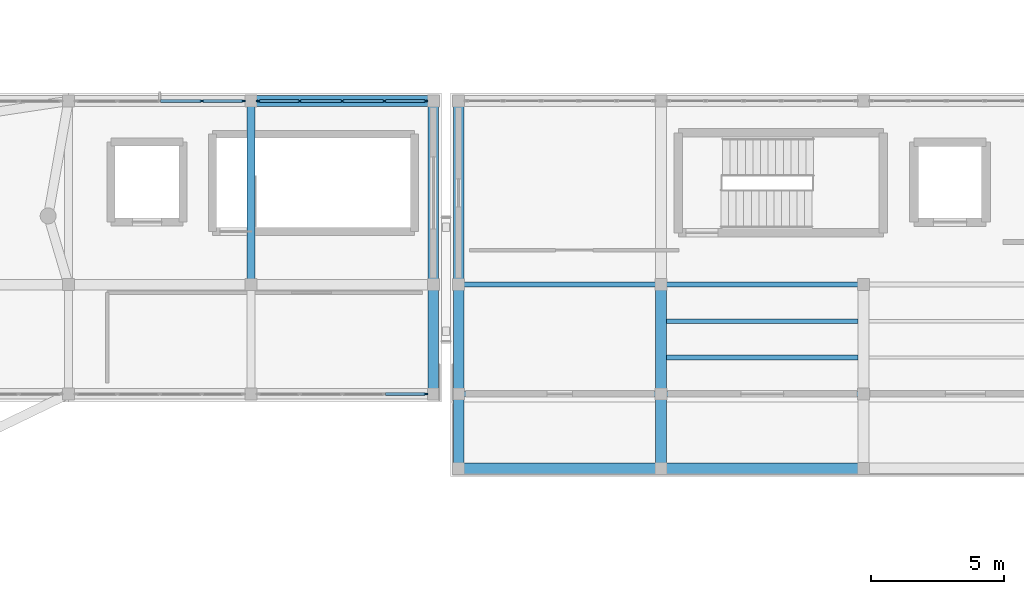
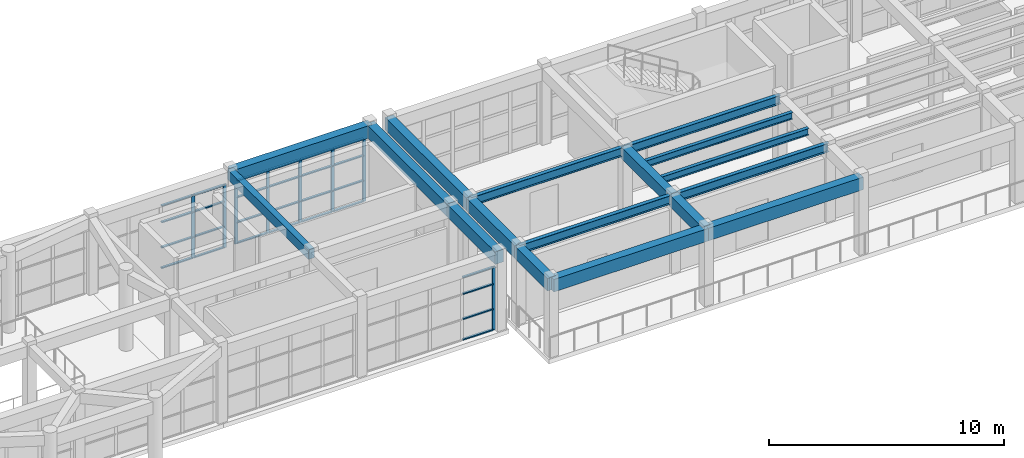
# One storey, part 8 of 66: 36 members, 17 beams, 3 elements without a shape of their own.
"""IFC4 building model written with IfcOpenShell, lengths in metres."""

from ifc_helpers import new_model, si_unit, direction, frame, origin, origin_2d, place, context, subcontext, project, spatial, rectangle, i_section, extrude, material, layer, layer_set, material_profile, profile_set, type_object, element, aggregate, save


model = new_model("IFC4")

# Units and contexts
model_context = context("Model", 3, precision=1e-05, world=origin(), true_north=direction((0.0, 1.0)))
body_context = subcontext(model_context, "Body", "Model", "MODEL_VIEW")
ifc_project = project(units=[si_unit("LENGTHUNIT", "METRE"), si_unit("AREAUNIT", "SQUARE_METRE"), si_unit("VOLUMEUNIT", "CUBIC_METRE"), si_unit("PLANEANGLEUNIT", "RADIAN"), si_unit("MASSUNIT", "GRAM", prefix="KILO")], contexts=[model_context])

# Site, building, storey
site_placement = place(None, origin())
site = spatial("IfcSite", under=ifc_project, at=site_placement, CompositionType="ELEMENT")
building_placement = place(site_placement, origin())
building = spatial("IfcBuilding", under=site, at=building_placement, Name="Candilejo Ridge Gondola Terminal", CompositionType="ELEMENT")
storey_placement = place(building_placement, frame((0.0, 0.0, 14.39990234375)))
storey = spatial("IfcBuildingStorey", under=building, at=storey_placement, Name="L03", CompositionType="ELEMENT", Elevation=14.39990234375)

# Curtain wall, members
ifc_material_1 = material(Name="Anodised aluminium AA 6063-T6", Category="aluminium")
ifc_layer = layer(ifc_material_1, 0.169921875)
ifc_layer_set = layer_set([ifc_layer], Name="ARC-CW-DRUM-3400-635X329")
curtain_wall_type = type_object("IfcCurtainWallType", Name="ARC-CW-DRUM-3400-635X329", PredefinedType="NOTDEFINED", material=ifc_layer_set)
curtain_wall_1_placement = place(storey_placement, origin())
curtain_wall_1 = element("IfcCurtainWall", 1, at=curtain_wall_1_placement, inside=storey, type_object=curtain_wall_type, Name="Curtain wall V2 L03-066", PredefinedType="NOTDEFINED")
ifc_material_2 = material(Name="Anodised aluminium AA 6063-T6", Category="aluminium")
ifc_material_profile_1 = material_profile(ifc_material_2, rectangle(XDim=0.06494140625, YDim=0.14990234375, at=origin_2d()))
ifc_profile_set_1 = profile_set([ifc_material_profile_1], Name="Anodised aluminium AA 6063-T6")
member_type_1 = type_object("IfcMemberType", Name="ARC-CW-MULLION-150", PredefinedType="MULLION", material=ifc_profile_set_1)
member_1_placement = place(storey_placement, frame((77.362548828125, 36.699951171875, 0.0), z_axis=(0.0, 0.0, 1.0), x_axis=(0.0, 1.0, 0.0)))
member_1 = element("IfcMember", 2, at=member_1_placement, type_object=member_type_1, Name="CW-63X32 mullion 4", PredefinedType="MULLION", context=body_context, shape_type="SweptSolid", body=[
    extrude(rectangle(XDim=0.06494140625, YDim=0.14990234375, at=origin_2d()), origin(), (0.0, 0.0, 1.0), 3.2900390625),
])
member_2_placement = place(storey_placement, frame((78.91748046875, 36.699951171875, 0.0), z_axis=(0.0, 0.0, 1.0), x_axis=(0.0, 1.0, 0.0)))
member_2 = element("IfcMember", 3, at=member_2_placement, type_object=member_type_1, Name="CW-63X32 mullion 5", PredefinedType="MULLION", context=body_context, shape_type="SweptSolid", body=[
    extrude(rectangle(XDim=0.06494140625, YDim=0.14990234375, at=origin_2d()), origin(), (0.0, 0.0, 1.0), 3.2900390625),
])

curtain_wall_2_placement = place(storey_placement, origin())
curtain_wall_2 = element("IfcCurtainWall", 4, at=curtain_wall_2_placement, inside=storey, type_object=curtain_wall_type, Name="Curtain wall V2 L03-068", PredefinedType="NOTDEFINED")
member_3_placement = place(storey_placement, frame((79.482421875, 36.699951171875, 0.0), z_axis=(0.0, 0.0, 1.0), x_axis=(0.0, 1.0, 0.0)))
member_3 = element("IfcMember", 5, at=member_3_placement, type_object=member_type_1, Name="CW-63X32 mullion 1", PredefinedType="MULLION", context=body_context, shape_type="SweptSolid", body=[
    extrude(rectangle(XDim=0.06494140625, YDim=0.14990234375, at=origin_2d()), origin(), (0.0, 0.0, 1.0), 3.2900390625),
])
member_4_placement = place(storey_placement, frame((81.03759765625, 36.699951171875, 0.0), z_axis=(0.0, 0.0, 1.0), x_axis=(0.0, 1.0, 0.0)))
member_4 = element("IfcMember", 6, at=member_4_placement, type_object=member_type_1, Name="CW-63X32 mullion 2", PredefinedType="MULLION", context=body_context, shape_type="SweptSolid", body=[
    extrude(rectangle(XDim=0.06494140625, YDim=0.14990234375, at=origin_2d()), origin(), (0.0, 0.0, 1.0), 3.2900390625),
])
member_5_placement = place(storey_placement, frame((82.625, 36.699951171875, 0.0), z_axis=(0.0, 0.0, 1.0), x_axis=(0.0, 1.0, 0.0)))
member_5 = element("IfcMember", 7, at=member_5_placement, type_object=member_type_1, Name="CW-63X32 mullion 3", PredefinedType="MULLION", context=body_context, shape_type="SweptSolid", body=[
    extrude(rectangle(XDim=0.06494140625, YDim=0.14990234375, at=origin_2d()), origin(), (0.0, 0.0, 1.0), 3.2900390625),
])
member_6_placement = place(storey_placement, frame((84.21240234375, 36.699951171875, 0.0), z_axis=(0.0, 0.0, 1.0), x_axis=(0.0, 1.0, 0.0)))
member_6 = element("IfcMember", 8, at=member_6_placement, type_object=member_type_1, Name="CW-63X32 mullion 4", PredefinedType="MULLION", context=body_context, shape_type="SweptSolid", body=[
    extrude(rectangle(XDim=0.06494140625, YDim=0.14990234375, at=origin_2d()), origin(), (0.0, 0.0, 1.0), 3.2900390625),
])
member_7_placement = place(storey_placement, frame((85.767578125, 36.699951171875, 0.0), z_axis=(0.0, 0.0, 1.0), x_axis=(0.0, 1.0, 0.0)))
member_7 = element("IfcMember", 9, at=member_7_placement, type_object=member_type_1, Name="CW-63X32 mullion 5", PredefinedType="MULLION", context=body_context, shape_type="SweptSolid", body=[
    extrude(rectangle(XDim=0.06494140625, YDim=0.14990234375, at=origin_2d()), origin(), (0.0, 0.0, 1.0), 3.2900390625),
])

# Curtain wall, member
curtain_wall_3_placement = place(storey_placement, origin())
curtain_wall_3 = element("IfcCurtainWall", 10, at=curtain_wall_3_placement, inside=storey, type_object=curtain_wall_type, Name="Curtain wall V2 L03-069", PredefinedType="NOTDEFINED")
member_8_placement = place(storey_placement, frame((85.767578125, 25.699951171875, 0.0), z_axis=(0.0, 0.0, 1.0), x_axis=(0.0, 1.0, 0.0)))
member_8 = element("IfcMember", 11, at=member_8_placement, type_object=member_type_1, Name="CW-63X32 mullion 5", PredefinedType="MULLION", context=body_context, shape_type="SweptSolid", body=[
    extrude(rectangle(XDim=0.06494140625, YDim=0.14990234375, at=origin_2d()), origin(), (0.0, 0.0, 1.0), 3.2900390625),
])

# Member
ifc_material_3 = material(Name="Anodised aluminium AA 6063-T6", Category="aluminium")
ifc_material_profile_2 = material_profile(ifc_material_3, rectangle(XDim=0.110107421875, YDim=0.06005859375, at=origin_2d()))
ifc_profile_set_2 = profile_set([ifc_material_profile_2], Name="Anodised aluminium AA 6063-T6")
member_type_2 = type_object("IfcMemberType", Name="ARC-CW-TRANSOM-110", PredefinedType="USERDEFINED", material=ifc_profile_set_2)
member_9_placement = place(storey_placement, frame((75.8076171875, 36.699951171875, 0.030029296875), z_axis=(1.0, 0.0, 0.0), x_axis=(0.0, 1.0, 0.0)))
member_9 = element("IfcMember", 12, at=member_9_placement, type_object=member_type_2, Name="CW-63X32 transom 3.1", ObjectType="TRANSOM", PredefinedType="USERDEFINED", context=body_context, shape_type="SweptSolid", body=[
    extrude(rectangle(XDim=0.110107421875, YDim=0.06005859375, at=origin_2d()), origin(), (0.0, 0.0, 1.0), 1.5224609375),
])

member_10_placement = place(storey_placement, frame((75.8076171875, 36.699951171875, 1.10009765625), z_axis=(1.0, 0.0, 0.0), x_axis=(0.0, 1.0, 0.0)))
member_10 = element("IfcMember", 13, at=member_10_placement, type_object=member_type_2, Name="CW-63X32 transom 3.2", ObjectType="TRANSOM", PredefinedType="USERDEFINED", context=body_context, shape_type="SweptSolid", body=[
    extrude(rectangle(XDim=0.110107421875, YDim=0.06005859375, at=origin_2d()), origin(), (0.0, 0.0, 1.0), 1.5224609375),
])

member_11_placement = place(storey_placement, frame((75.8076171875, 36.699951171875, 2.400146484375), z_axis=(1.0, 0.0, 0.0), x_axis=(0.0, 1.0, 0.0)))
member_11 = element("IfcMember", 14, at=member_11_placement, type_object=member_type_2, Name="CW-63X32 transom 3.3", ObjectType="TRANSOM", PredefinedType="USERDEFINED", context=body_context, shape_type="SweptSolid", body=[
    extrude(rectangle(XDim=0.110107421875, YDim=0.06005859375, at=origin_2d()), origin(), (0.0, 0.0, 1.0), 1.5224609375),
])

member_12_placement = place(storey_placement, frame((75.8076171875, 36.699951171875, 3.260009765625), z_axis=(1.0, 0.0, 0.0), x_axis=(0.0, 1.0, 0.0)))
member_12 = element("IfcMember", 15, at=member_12_placement, type_object=member_type_2, Name="CW-63X32 transom 3.4", ObjectType="TRANSOM", PredefinedType="USERDEFINED", context=body_context, shape_type="SweptSolid", body=[
    extrude(rectangle(XDim=0.110107421875, YDim=0.06005859375, at=origin_2d()), origin(), (0.0, 0.0, 1.0), 1.5224609375),
])

member_13_placement = place(storey_placement, frame((77.39501953125, 36.699951171875, 0.030029296875), z_axis=(1.0, 0.0, 0.0), x_axis=(0.0, 1.0, 0.0)))
member_13 = element("IfcMember", 16, at=member_13_placement, type_object=member_type_2, Name="CW-63X32 transom 4.1", ObjectType="TRANSOM", PredefinedType="USERDEFINED", context=body_context, shape_type="SweptSolid", body=[
    extrude(rectangle(XDim=0.110107421875, YDim=0.06005859375, at=origin_2d()), origin(), (0.0, 0.0, 1.0), 1.489990234375),
])

member_14_placement = place(storey_placement, frame((77.39501953125, 36.699951171875, 1.10009765625), z_axis=(1.0, 0.0, 0.0), x_axis=(0.0, 1.0, 0.0)))
member_14 = element("IfcMember", 17, at=member_14_placement, type_object=member_type_2, Name="CW-63X32 transom 4.2", ObjectType="TRANSOM", PredefinedType="USERDEFINED", context=body_context, shape_type="SweptSolid", body=[
    extrude(rectangle(XDim=0.110107421875, YDim=0.06005859375, at=origin_2d()), origin(), (0.0, 0.0, 1.0), 1.489990234375),
])

member_15_placement = place(storey_placement, frame((77.39501953125, 36.699951171875, 2.400146484375), z_axis=(1.0, 0.0, 0.0), x_axis=(0.0, 1.0, 0.0)))
member_15 = element("IfcMember", 18, at=member_15_placement, type_object=member_type_2, Name="CW-63X32 transom 4.3", ObjectType="TRANSOM", PredefinedType="USERDEFINED", context=body_context, shape_type="SweptSolid", body=[
    extrude(rectangle(XDim=0.110107421875, YDim=0.06005859375, at=origin_2d()), origin(), (0.0, 0.0, 1.0), 1.489990234375),
])

member_16_placement = place(storey_placement, frame((77.39501953125, 36.699951171875, 3.260009765625), z_axis=(1.0, 0.0, 0.0), x_axis=(0.0, 1.0, 0.0)))
member_16 = element("IfcMember", 19, at=member_16_placement, type_object=member_type_2, Name="CW-63X32 transom 4.4", ObjectType="TRANSOM", PredefinedType="USERDEFINED", context=body_context, shape_type="SweptSolid", body=[
    extrude(rectangle(XDim=0.110107421875, YDim=0.06005859375, at=origin_2d()), origin(), (0.0, 0.0, 1.0), 1.489990234375),
])

aggregate(curtain_wall_1, [member_1, member_2, member_9, member_10, member_11, member_12, member_13, member_14, member_15, member_16])

member_17_placement = place(storey_placement, frame((79.514892578125, 36.699951171875, 0.030029296875), z_axis=(1.0, 0.0, 0.0), x_axis=(0.0, 1.0, 0.0)))
member_17 = element("IfcMember", 20, at=member_17_placement, type_object=member_type_2, Name="CW-63X32 transom 1.1", ObjectType="TRANSOM", PredefinedType="USERDEFINED", context=body_context, shape_type="SweptSolid", body=[
    extrude(rectangle(XDim=0.110107421875, YDim=0.06005859375, at=origin_2d()), origin(), (0.0, 0.0, 1.0), 1.489990234375),
])

member_18_placement = place(storey_placement, frame((79.514892578125, 36.699951171875, 1.10009765625), z_axis=(1.0, 0.0, 0.0), x_axis=(0.0, 1.0, 0.0)))
member_18 = element("IfcMember", 21, at=member_18_placement, type_object=member_type_2, Name="CW-63X32 transom 1.2", ObjectType="TRANSOM", PredefinedType="USERDEFINED", context=body_context, shape_type="SweptSolid", body=[
    extrude(rectangle(XDim=0.110107421875, YDim=0.06005859375, at=origin_2d()), origin(), (0.0, 0.0, 1.0), 1.489990234375),
])

member_19_placement = place(storey_placement, frame((79.514892578125, 36.699951171875, 2.400146484375), z_axis=(1.0, 0.0, 0.0), x_axis=(0.0, 1.0, 0.0)))
member_19 = element("IfcMember", 22, at=member_19_placement, type_object=member_type_2, Name="CW-63X32 transom 1.3", ObjectType="TRANSOM", PredefinedType="USERDEFINED", context=body_context, shape_type="SweptSolid", body=[
    extrude(rectangle(XDim=0.110107421875, YDim=0.06005859375, at=origin_2d()), origin(), (0.0, 0.0, 1.0), 1.489990234375),
])

member_20_placement = place(storey_placement, frame((79.514892578125, 36.699951171875, 3.260009765625), z_axis=(1.0, 0.0, 0.0), x_axis=(0.0, 1.0, 0.0)))
member_20 = element("IfcMember", 23, at=member_20_placement, type_object=member_type_2, Name="CW-63X32 transom 1.4", ObjectType="TRANSOM", PredefinedType="USERDEFINED", context=body_context, shape_type="SweptSolid", body=[
    extrude(rectangle(XDim=0.110107421875, YDim=0.06005859375, at=origin_2d()), origin(), (0.0, 0.0, 1.0), 1.489990234375),
])

member_21_placement = place(storey_placement, frame((81.070068359375, 36.699951171875, 0.030029296875), z_axis=(1.0, 0.0, 0.0), x_axis=(0.0, 1.0, 0.0)))
member_21 = element("IfcMember", 24, at=member_21_placement, type_object=member_type_2, Name="CW-63X32 transom 2.1", ObjectType="TRANSOM", PredefinedType="USERDEFINED", context=body_context, shape_type="SweptSolid", body=[
    extrude(rectangle(XDim=0.110107421875, YDim=0.06005859375, at=origin_2d()), origin(), (0.0, 0.0, 1.0), 1.5224609375),
])

member_22_placement = place(storey_placement, frame((81.070068359375, 36.699951171875, 1.10009765625), z_axis=(1.0, 0.0, 0.0), x_axis=(0.0, 1.0, 0.0)))
member_22 = element("IfcMember", 25, at=member_22_placement, type_object=member_type_2, Name="CW-63X32 transom 2.2", ObjectType="TRANSOM", PredefinedType="USERDEFINED", context=body_context, shape_type="SweptSolid", body=[
    extrude(rectangle(XDim=0.110107421875, YDim=0.06005859375, at=origin_2d()), origin(), (0.0, 0.0, 1.0), 1.5224609375),
])

member_23_placement = place(storey_placement, frame((81.070068359375, 36.699951171875, 2.400146484375), z_axis=(1.0, 0.0, 0.0), x_axis=(0.0, 1.0, 0.0)))
member_23 = element("IfcMember", 26, at=member_23_placement, type_object=member_type_2, Name="CW-63X32 transom 2.3", ObjectType="TRANSOM", PredefinedType="USERDEFINED", context=body_context, shape_type="SweptSolid", body=[
    extrude(rectangle(XDim=0.110107421875, YDim=0.06005859375, at=origin_2d()), origin(), (0.0, 0.0, 1.0), 1.5224609375),
])

member_24_placement = place(storey_placement, frame((81.070068359375, 36.699951171875, 3.260009765625), z_axis=(1.0, 0.0, 0.0), x_axis=(0.0, 1.0, 0.0)))
member_24 = element("IfcMember", 27, at=member_24_placement, type_object=member_type_2, Name="CW-63X32 transom 2.4", ObjectType="TRANSOM", PredefinedType="USERDEFINED", context=body_context, shape_type="SweptSolid", body=[
    extrude(rectangle(XDim=0.110107421875, YDim=0.06005859375, at=origin_2d()), origin(), (0.0, 0.0, 1.0), 1.5224609375),
])

member_25_placement = place(storey_placement, frame((82.657470703125, 36.699951171875, 0.030029296875), z_axis=(1.0, 0.0, 0.0), x_axis=(0.0, 1.0, 0.0)))
member_25 = element("IfcMember", 28, at=member_25_placement, type_object=member_type_2, Name="CW-63X32 transom 3.1", ObjectType="TRANSOM", PredefinedType="USERDEFINED", context=body_context, shape_type="SweptSolid", body=[
    extrude(rectangle(XDim=0.110107421875, YDim=0.06005859375, at=origin_2d()), origin(), (0.0, 0.0, 1.0), 1.5224609375),
])

member_26_placement = place(storey_placement, frame((82.657470703125, 36.699951171875, 1.10009765625), z_axis=(1.0, 0.0, 0.0), x_axis=(0.0, 1.0, 0.0)))
member_26 = element("IfcMember", 29, at=member_26_placement, type_object=member_type_2, Name="CW-63X32 transom 3.2", ObjectType="TRANSOM", PredefinedType="USERDEFINED", context=body_context, shape_type="SweptSolid", body=[
    extrude(rectangle(XDim=0.110107421875, YDim=0.06005859375, at=origin_2d()), origin(), (0.0, 0.0, 1.0), 1.5224609375),
])

member_27_placement = place(storey_placement, frame((82.657470703125, 36.699951171875, 2.400146484375), z_axis=(1.0, 0.0, 0.0), x_axis=(0.0, 1.0, 0.0)))
member_27 = element("IfcMember", 30, at=member_27_placement, type_object=member_type_2, Name="CW-63X32 transom 3.3", ObjectType="TRANSOM", PredefinedType="USERDEFINED", context=body_context, shape_type="SweptSolid", body=[
    extrude(rectangle(XDim=0.110107421875, YDim=0.06005859375, at=origin_2d()), origin(), (0.0, 0.0, 1.0), 1.5224609375),
])

member_28_placement = place(storey_placement, frame((82.657470703125, 36.699951171875, 3.260009765625), z_axis=(1.0, 0.0, 0.0), x_axis=(0.0, 1.0, 0.0)))
member_28 = element("IfcMember", 31, at=member_28_placement, type_object=member_type_2, Name="CW-63X32 transom 3.4", ObjectType="TRANSOM", PredefinedType="USERDEFINED", context=body_context, shape_type="SweptSolid", body=[
    extrude(rectangle(XDim=0.110107421875, YDim=0.06005859375, at=origin_2d()), origin(), (0.0, 0.0, 1.0), 1.5224609375),
])

member_29_placement = place(storey_placement, frame((84.2451171875, 36.699951171875, 0.030029296875), z_axis=(1.0, 0.0, 0.0), x_axis=(0.0, 1.0, 0.0)))
member_29 = element("IfcMember", 32, at=member_29_placement, type_object=member_type_2, Name="CW-63X32 transom 4.1", ObjectType="TRANSOM", PredefinedType="USERDEFINED", context=body_context, shape_type="SweptSolid", body=[
    extrude(rectangle(XDim=0.110107421875, YDim=0.06005859375, at=origin_2d()), origin(), (0.0, 0.0, 1.0), 1.489990234375),
])

member_30_placement = place(storey_placement, frame((84.2451171875, 36.699951171875, 1.10009765625), z_axis=(1.0, 0.0, 0.0), x_axis=(0.0, 1.0, 0.0)))
member_30 = element("IfcMember", 33, at=member_30_placement, type_object=member_type_2, Name="CW-63X32 transom 4.2", ObjectType="TRANSOM", PredefinedType="USERDEFINED", context=body_context, shape_type="SweptSolid", body=[
    extrude(rectangle(XDim=0.110107421875, YDim=0.06005859375, at=origin_2d()), origin(), (0.0, 0.0, 1.0), 1.489990234375),
])

member_31_placement = place(storey_placement, frame((84.2451171875, 36.699951171875, 2.400146484375), z_axis=(1.0, 0.0, 0.0), x_axis=(0.0, 1.0, 0.0)))
member_31 = element("IfcMember", 34, at=member_31_placement, type_object=member_type_2, Name="CW-63X32 transom 4.3", ObjectType="TRANSOM", PredefinedType="USERDEFINED", context=body_context, shape_type="SweptSolid", body=[
    extrude(rectangle(XDim=0.110107421875, YDim=0.06005859375, at=origin_2d()), origin(), (0.0, 0.0, 1.0), 1.489990234375),
])

member_32_placement = place(storey_placement, frame((84.2451171875, 36.699951171875, 3.260009765625), z_axis=(1.0, 0.0, 0.0), x_axis=(0.0, 1.0, 0.0)))
member_32 = element("IfcMember", 35, at=member_32_placement, type_object=member_type_2, Name="CW-63X32 transom 4.4", ObjectType="TRANSOM", PredefinedType="USERDEFINED", context=body_context, shape_type="SweptSolid", body=[
    extrude(rectangle(XDim=0.110107421875, YDim=0.06005859375, at=origin_2d()), origin(), (0.0, 0.0, 1.0), 1.489990234375),
])

aggregate(curtain_wall_2, [member_3, member_4, member_5, member_6, member_7, member_17, member_18, member_19, member_20, member_21, member_22, member_23, member_24, member_25, member_26, member_27, member_28, member_29, member_30, member_31, member_32])

member_33_placement = place(storey_placement, frame((84.2451171875, 25.699951171875, 0.030029296875), z_axis=(1.0, 0.0, 0.0), x_axis=(0.0, 1.0, 0.0)))
member_33 = element("IfcMember", 36, at=member_33_placement, type_object=member_type_2, Name="CW-63X32 transom 4.1", ObjectType="TRANSOM", PredefinedType="USERDEFINED", context=body_context, shape_type="SweptSolid", body=[
    extrude(rectangle(XDim=0.110107421875, YDim=0.06005859375, at=origin_2d()), origin(), (0.0, 0.0, 1.0), 1.489990234375),
])

member_34_placement = place(storey_placement, frame((84.2451171875, 25.699951171875, 1.10009765625), z_axis=(1.0, 0.0, 0.0), x_axis=(0.0, 1.0, 0.0)))
member_34 = element("IfcMember", 37, at=member_34_placement, type_object=member_type_2, Name="CW-63X32 transom 4.2", ObjectType="TRANSOM", PredefinedType="USERDEFINED", context=body_context, shape_type="SweptSolid", body=[
    extrude(rectangle(XDim=0.110107421875, YDim=0.06005859375, at=origin_2d()), origin(), (0.0, 0.0, 1.0), 1.489990234375),
])

member_35_placement = place(storey_placement, frame((84.2451171875, 25.699951171875, 2.400146484375), z_axis=(1.0, 0.0, 0.0), x_axis=(0.0, 1.0, 0.0)))
member_35 = element("IfcMember", 38, at=member_35_placement, type_object=member_type_2, Name="CW-63X32 transom 4.3", ObjectType="TRANSOM", PredefinedType="USERDEFINED", context=body_context, shape_type="SweptSolid", body=[
    extrude(rectangle(XDim=0.110107421875, YDim=0.06005859375, at=origin_2d()), origin(), (0.0, 0.0, 1.0), 1.489990234375),
])

member_36_placement = place(storey_placement, frame((84.2451171875, 25.699951171875, 3.260009765625), z_axis=(1.0, 0.0, 0.0), x_axis=(0.0, 1.0, 0.0)))
member_36 = element("IfcMember", 39, at=member_36_placement, type_object=member_type_2, Name="CW-63X32 transom 4.4", ObjectType="TRANSOM", PredefinedType="USERDEFINED", context=body_context, shape_type="SweptSolid", body=[
    extrude(rectangle(XDim=0.110107421875, YDim=0.06005859375, at=origin_2d()), origin(), (0.0, 0.0, 1.0), 1.489990234375),
])

aggregate(curtain_wall_3, [member_8, member_33, member_34, member_35, member_36])

# Beams
ifc_material_4 = material(Name="Concrete f'c 35 MPa (C35/45)", Category="concrete")
ifc_material_profile_3 = material_profile(ifc_material_4, rectangle(XDim=0.300048828125, YDim=0.5, at=origin_2d()))
ifc_profile_set_3 = profile_set([ifc_material_profile_3], Name="Concrete f'c 35 MPa (C35/45)")
beam_type_1 = type_object("IfcBeamType", Name="STR-BM-RC300X500", PredefinedType="BEAM", material=ifc_profile_set_3)
beam_1_placement = place(storey_placement, frame((79.199951171875, 29.800048828125, 3.75), z_axis=(0.0, 1.0, 0.0), x_axis=(-1.0, 0.0, 0.0)))
element("IfcBeam", 40, at=beam_1_placement, inside=storey, type_object=beam_type_1, Name="Beam Y V2 L03 Y06-Y07@X12", PredefinedType="BEAM", context=body_context, shape_type="SweptSolid", body=[
    extrude(rectangle(XDim=0.300048828125, YDim=0.5, at=origin_2d()), origin(), (0.0, 0.0, 1.0), 6.89990234375),
])
ifc_material_5 = material(Name="Concrete f'c 35 MPa (C35/45)", Category="concrete")
ifc_material_profile_4 = material_profile(ifc_material_5, rectangle(XDim=0.39990234375, YDim=0.60009765625, at=origin_2d()))
ifc_profile_set_4 = profile_set([ifc_material_profile_4], Name="Concrete f'c 35 MPa (C35/45)")
beam_type_2 = type_object("IfcBeamType", Name="STR-BM-RC400X600", PredefinedType="BEAM", material=ifc_profile_set_4)
beam_2_placement = place(storey_placement, frame((94.60009765625, 22.89990234375, 3.690185546875), z_axis=(0.0, 1.0, 0.0), x_axis=(-1.0, 0.0, 0.0)))
element("IfcBeam", 41, at=beam_2_placement, inside=storey, type_object=beam_type_2, Name="Beam Y V3 L03 Y04-Y05@X15", PredefinedType="BEAM", context=body_context, shape_type="SweptSolid", body=[
    extrude(rectangle(XDim=0.39990234375, YDim=0.60009765625, at=origin_2d()), origin(), (0.0, 0.0, 1.0), 2.800048828125),
])
beam_3_placement = place(storey_placement, frame((94.60009765625, 25.699951171875, 3.690185546875), z_axis=(0.0, 1.0, 0.0), x_axis=(-1.0, 0.0, 0.0)))
element("IfcBeam", 42, at=beam_3_placement, inside=storey, type_object=beam_type_2, Name="Beam Y V3 L03 Y05-Y06@X15", PredefinedType="BEAM", context=body_context, shape_type="SweptSolid", body=[
    extrude(rectangle(XDim=0.39990234375, YDim=0.60009765625, at=origin_2d()), origin(), (0.0, 0.0, 1.0), 4.10009765625),
])
ifc_material_6 = material(Name="Steel ASTM A992 Grade 50", Category="steel")
ifc_material_profile_5 = material_profile(ifc_material_6, i_section(OverallWidth=0.18994140625, OverallDepth=0.45703125, WebThickness=0.009033203125, FlangeThickness=0.014404296875, at=origin_2d()))
ifc_profile_set_5 = profile_set([ifc_material_profile_5], Name="Steel ASTM A992 Grade 50")
beam_type_3 = type_object("IfcBeamType", Name="STR-BM-W460X74", PredefinedType="BEAM", material=ifc_profile_set_5)
beam_4_placement = place(storey_placement, frame((87.0, 25.699951171875, 3.76171875), z_axis=(1.0, 0.0, 0.0), x_axis=(0.0, 1.0, 0.0)))
element("IfcBeam", 43, at=beam_4_placement, inside=storey, type_object=beam_type_3, Name="Beam X V3 L03 X14-X15@Y05", PredefinedType="BEAM", context=body_context, shape_type="SweptSolid", body=[
    extrude(i_section(OverallWidth=0.18994140625, OverallDepth=0.45703125, WebThickness=0.009033203125, FlangeThickness=0.014404296875, at=origin_2d()), origin(), (0.0, 0.0, 1.0), 7.60009765625),
])
beam_5_placement = place(storey_placement, frame((94.60009765625, 25.699951171875, 3.76171875), z_axis=(1.0, 0.0, 0.0), x_axis=(0.0, 1.0, 0.0)))
element("IfcBeam", 44, at=beam_5_placement, inside=storey, type_object=beam_type_3, Name="Beam X V3 L03 X15-X16@Y05", PredefinedType="BEAM", context=body_context, shape_type="SweptSolid", body=[
    extrude(i_section(OverallWidth=0.18994140625, OverallDepth=0.45703125, WebThickness=0.009033203125, FlangeThickness=0.014404296875, at=origin_2d()), origin(), (0.0, 0.0, 1.0), 7.599853515625),
])
beam_6_placement = place(storey_placement, frame((87.0, 29.800048828125, 3.76171875), z_axis=(1.0, 0.0, 0.0), x_axis=(0.0, 1.0, 0.0)))
element("IfcBeam", 45, at=beam_6_placement, inside=storey, type_object=beam_type_3, Name="Beam X V3 L03 X14-X15@Y06", PredefinedType="BEAM", context=body_context, shape_type="SweptSolid", body=[
    extrude(i_section(OverallWidth=0.18994140625, OverallDepth=0.45703125, WebThickness=0.009033203125, FlangeThickness=0.014404296875, at=origin_2d()), origin(), (0.0, 0.0, 1.0), 7.60009765625),
])
beam_7_placement = place(storey_placement, frame((94.60009765625, 29.800048828125, 3.76171875), z_axis=(1.0, 0.0, 0.0), x_axis=(0.0, 1.0, 0.0)))
element("IfcBeam", 46, at=beam_7_placement, inside=storey, type_object=beam_type_3, Name="Beam X V3 L03 X15-X16@Y06", PredefinedType="BEAM", context=body_context, shape_type="SweptSolid", body=[
    extrude(i_section(OverallWidth=0.18994140625, OverallDepth=0.45703125, WebThickness=0.009033203125, FlangeThickness=0.014404296875, at=origin_2d()), origin(), (0.0, 0.0, 1.0), 7.599853515625),
])
ifc_material_7 = material(Name="Steel ASTM A992 Grade 50", Category="steel")
ifc_material_profile_6 = material_profile(ifc_material_7, i_section(OverallWidth=0.1708984375, OverallDepth=0.35205078125, WebThickness=0.0068359375, FlangeThickness=0.009765625, at=origin_2d()))
ifc_profile_set_6 = profile_set([ifc_material_profile_6], Name="Steel ASTM A992 Grade 50")
beam_type_4 = type_object("IfcBeamType", Name="STR-JST-W360X44", PredefinedType="JOIST", material=ifc_profile_set_6)
for number, where, z_axis, x_axis, name in (
    (47, (94.800048828125, 27.066650390625, 3.814208984375), (1.0, 0.0, 0.0), (0.0, 1.0, 0.0), "Composite joist V3 L03-0625"),
    (48, (94.800048828125, 28.433349609375, 3.814208984375), (1.0, 0.0, 0.0), (0.0, 1.0, 0.0), "Composite joist V3 L03-0626"),
):
    element("IfcBeam", number, at=place(storey_placement, frame(where, z_axis=z_axis, x_axis=x_axis)), inside=storey, type_object=beam_type_4, Name=name, PredefinedType="JOIST", context=body_context, shape_type="SweptSolid", body=[
        extrude(i_section(OverallWidth=0.1708984375, OverallDepth=0.35205078125, WebThickness=0.0068359375, FlangeThickness=0.009765625, at=origin_2d()), origin(), (0.0, 0.0, 1.0), 7.199951171875),
    ])
ifc_material_8 = material(Name="Concrete f'c 35 MPa (C35/45)", Category="concrete")
ifc_material_profile_7 = material_profile(ifc_material_8, rectangle(XDim=0.39990234375, YDim=0.64990234375, at=origin_2d()))
ifc_profile_set_7 = profile_set([ifc_material_profile_7], Name="Concrete f'c 35 MPa (C35/45)")
beam_type_5 = type_object("IfcBeamType", Name="STR-SPN-RC400X650", PredefinedType="SPANDREL", material=ifc_profile_set_7)
beam_8_placement = place(storey_placement, frame((79.199951171875, 36.699951171875, 3.675048828125), z_axis=(1.0, 0.0, 0.0), x_axis=(0.0, 1.0, 0.0)))
element("IfcBeam", 49, at=beam_8_placement, inside=storey, type_object=beam_type_5, Name="Beam X V2 L03 X12-X13@Y07", PredefinedType="SPANDREL", context=body_context, shape_type="SweptSolid", body=[
    extrude(rectangle(XDim=0.39990234375, YDim=0.64990234375, at=origin_2d()), origin(), (0.0, 0.0, 1.0), 6.85009765625),
])
beam_9_placement = place(storey_placement, frame((86.050048828125, 25.699951171875, 3.675048828125), z_axis=(0.0, 1.0, 0.0), x_axis=(-1.0, 0.0, 0.0)))
element("IfcBeam", 50, at=beam_9_placement, inside=storey, type_object=beam_type_5, Name="Beam Y V2 L03 Y05-Y06@X13", PredefinedType="SPANDREL", context=body_context, shape_type="SweptSolid", body=[
    extrude(rectangle(XDim=0.39990234375, YDim=0.64990234375, at=origin_2d()), origin(), (0.0, 0.0, 1.0), 4.10009765625),
])
beam_10_placement = place(storey_placement, frame((86.050048828125, 29.800048828125, 3.675048828125), z_axis=(0.0, 1.0, 0.0), x_axis=(-1.0, 0.0, 0.0)))
element("IfcBeam", 51, at=beam_10_placement, inside=storey, type_object=beam_type_5, Name="Beam Y V2 L03 Y06-Y07@X13", PredefinedType="SPANDREL", context=body_context, shape_type="SweptSolid", body=[
    extrude(rectangle(XDim=0.39990234375, YDim=0.64990234375, at=origin_2d()), origin(), (0.0, 0.0, 1.0), 6.89990234375),
])
beam_11_placement = place(storey_placement, frame((87.0, 22.89990234375, 3.6650390625), z_axis=(1.0, 0.0, 0.0), x_axis=(0.0, 1.0, 0.0)))
element("IfcBeam", 52, at=beam_11_placement, inside=storey, type_object=beam_type_5, Name="Beam X V3 L03 X14-X15@Y04", PredefinedType="SPANDREL", context=body_context, shape_type="SweptSolid", body=[
    extrude(rectangle(XDim=0.39990234375, YDim=0.64990234375, at=origin_2d()), origin(), (0.0, 0.0, 1.0), 7.60009765625),
])
beam_12_placement = place(storey_placement, frame((94.60009765625, 22.89990234375, 3.6650390625), z_axis=(1.0, 0.0, 0.0), x_axis=(0.0, 1.0, 0.0)))
element("IfcBeam", 53, at=beam_12_placement, inside=storey, type_object=beam_type_5, Name="Beam X V3 L03 X15-X16@Y04", PredefinedType="SPANDREL", context=body_context, shape_type="SweptSolid", body=[
    extrude(rectangle(XDim=0.39990234375, YDim=0.64990234375, at=origin_2d()), origin(), (0.0, 0.0, 1.0), 7.599853515625),
])
beam_13_placement = place(storey_placement, frame((87.0, 22.89990234375, 3.6650390625), z_axis=(0.0, 1.0, 0.0), x_axis=(-1.0, 0.0, 0.0)))
element("IfcBeam", 54, at=beam_13_placement, inside=storey, type_object=beam_type_5, Name="Beam Y V3 L03 Y04-Y05@X14", PredefinedType="SPANDREL", context=body_context, shape_type="SweptSolid", body=[
    extrude(rectangle(XDim=0.39990234375, YDim=0.64990234375, at=origin_2d()), origin(), (0.0, 0.0, 1.0), 2.800048828125),
])
beam_14_placement = place(storey_placement, frame((87.0, 25.699951171875, 3.6650390625), z_axis=(0.0, 1.0, 0.0), x_axis=(-1.0, 0.0, 0.0)))
element("IfcBeam", 55, at=beam_14_placement, inside=storey, type_object=beam_type_5, Name="Beam Y V3 L03 Y05-Y06@X14", PredefinedType="SPANDREL", context=body_context, shape_type="SweptSolid", body=[
    extrude(rectangle(XDim=0.39990234375, YDim=0.64990234375, at=origin_2d()), origin(), (0.0, 0.0, 1.0), 4.10009765625),
])
beam_15_placement = place(storey_placement, frame((87.0, 29.800048828125, 3.6650390625), z_axis=(0.0, 1.0, 0.0), x_axis=(-1.0, 0.0, 0.0)))
element("IfcBeam", 56, at=beam_15_placement, inside=storey, type_object=beam_type_5, Name="Beam Y V3 L03 Y06-Y07@X14", PredefinedType="SPANDREL", context=body_context, shape_type="SweptSolid", body=[
    extrude(rectangle(XDim=0.39990234375, YDim=0.64990234375, at=origin_2d()), origin(), (0.0, 0.0, 1.0), 6.89990234375),
])

save(model, "model.ifc")
